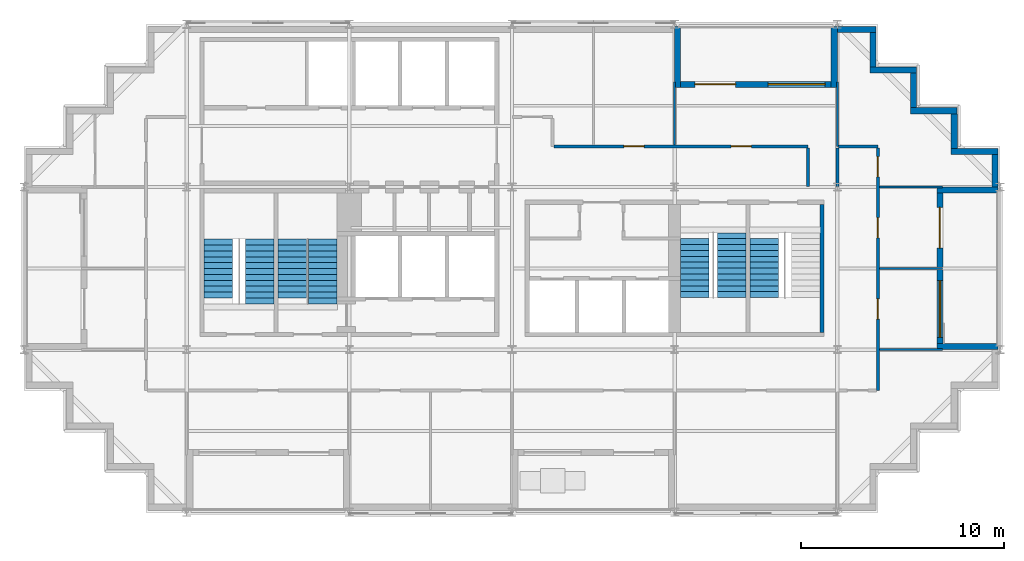
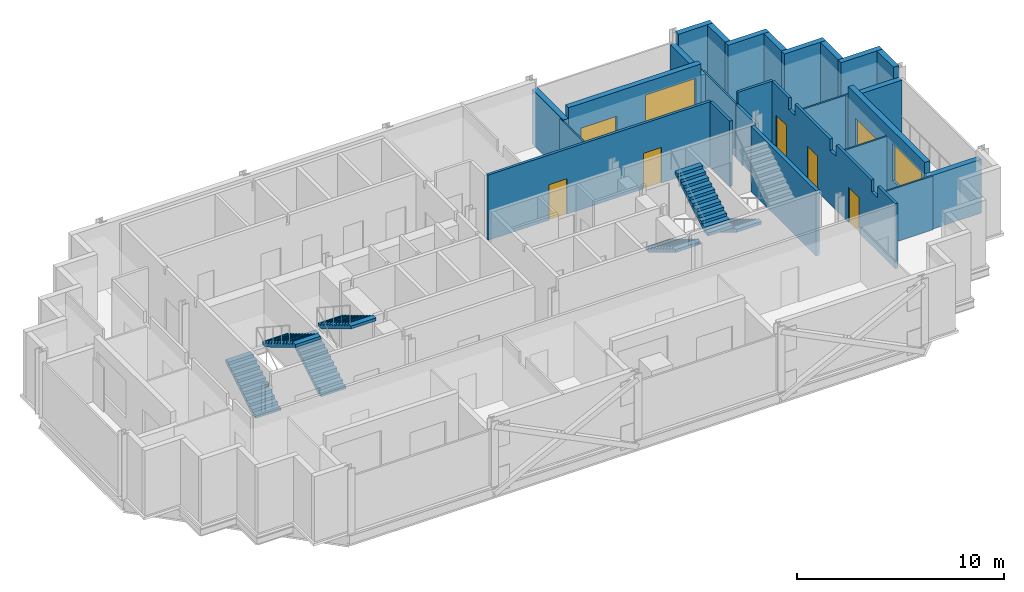
# One storey, part 7 of 10: 25 walls, 7 doors, 7 stair flights, 2 windows, 9 openings, 4 elements without a shape of their own.
"""IFC4 building model written with IfcOpenShell, lengths in metres."""

from ifc_helpers import new_model, si_unit, direction, frame, frame_2d, origin, place, context, subcontext, project, spatial, polyline, rectangle, outline, extrude, material, layer, layer_set, type_object, element, fill, aggregate, save


model = new_model("IFC4")

# Units and contexts
model_context = context("Model", 3, precision=1e-05, world=origin(), true_north=direction((0.0, 1.0)))
body_context = subcontext(model_context, "Body", "Model", "MODEL_VIEW")
ifc_project = project(units=[si_unit("LENGTHUNIT", "METRE"), si_unit("AREAUNIT", "SQUARE_METRE"), si_unit("VOLUMEUNIT", "CUBIC_METRE"), si_unit("PLANEANGLEUNIT", "RADIAN"), si_unit("MASSUNIT", "GRAM", prefix="KILO")], contexts=[model_context])

# Site, building, storey
site_placement = place(None, origin())
site = spatial("IfcSite", under=ifc_project, at=site_placement, CompositionType="ELEMENT")
building_placement = place(site_placement, origin())
building = spatial("IfcBuilding", under=site, at=building_placement, Name="Immortelle Media Tower", CompositionType="ELEMENT")
storey_placement = place(building_placement, frame((0.0, 0.0, 221.0)))
storey = spatial("IfcBuildingStorey", under=building, at=storey_placement, Name="L47", CompositionType="ELEMENT", Elevation=221.0)

# Wall, openings, doors
ifc_material_1 = material(Name="Fire-rated gypsum board", Category="gypsum")
ifc_layer_1 = layer(ifc_material_1, 0.012451171875)
ifc_material_2 = material(Name="Steel ASTM A653 SS Gr 50 stud frame with mineral wool", Category="steel")
ifc_layer_2 = layer(ifc_material_2, 0.125)
ifc_layer_3 = layer(ifc_material_1, 0.012451171875)
ifc_layer_set_1 = layer_set([ifc_layer_1, ifc_layer_2, ifc_layer_3], Name="Steel ASTM A653 SS Gr 50 stud frame with mineral wool")
wall_type_1 = type_object("IfcWallType", Name="Corridor wall 150", PredefinedType="PARTITIONING", material=ifc_layer_set_1)
wall_1_placement = place(storey_placement, frame((42.0, 6.0, 0.0), z_axis=(0.0, 0.0, 1.0), x_axis=(0.0, 1.0, 0.0)))
wall_1 = element("IfcWall", 1, at=wall_1_placement, inside=storey, type_object=wall_type_1, Name="Partition L47-009", PredefinedType="PARTITIONING", context=body_context, shape_type="SweptSolid", body=[
    extrude(outline(polyline([(0.0, 0.0), (11.925048828125, 0.0), (11.925048828125, 3.85009765625), (10.300048828125, 3.85009765625), (10.298095703125, 3.172119140625), (9.701904296875, 3.172119140625), (9.699951171875, 3.85009765625), (6.300048828125, 3.85009765625), (6.298095703125, 3.172119140625), (5.701904296875, 3.172119140625), (5.699951171875, 3.85009765625), (2.300048828125, 3.85009765625), (2.298095703125, 3.172119140625), (1.701904296875, 3.172119140625), (1.699951171875, 3.85009765625), (0.0, 3.85009765625), (0.0, 0.0)])), frame((0.0, 0.074951171875, 0.0), z_axis=(0.0, -1.0, 0.0), x_axis=(1.0, 0.0, 0.0)), (0.0, 0.0, 1.0), 0.14990234375),
])
opening_1_placement = place(wall_1_placement, frame((4.5, 0.0, 0.0), z_axis=(0.0, 0.0, 1.0), x_axis=(-1.0, 0.0, 0.0)))
opening_1 = element("IfcOpeningElement", 2, at=opening_1_placement, cuts=wall_1, Name="Opening O4-F010", PredefinedType="OPENING", context=body_context, shape_type="SweptSolid", body=[
    extrude(rectangle(XDim=1.0, YDim=2.10009765625, at=frame_2d((0.5, 1.050048828125))), frame((0.0, 0.0849609375, 0.0), z_axis=(0.0, -1.0, 0.0), x_axis=(1.0, 0.0, 0.0)), (0.0, 0.0, 1.0), 0.169921875),
])
opening_2_placement = place(wall_1_placement, frame((8.5, 0.0, 0.0), z_axis=(0.0, 0.0, 1.0), x_axis=(-1.0, 0.0, 0.0)))
opening_2 = element("IfcOpeningElement", 3, at=opening_2_placement, cuts=wall_1, Name="Opening O4-F011", PredefinedType="OPENING", context=body_context, shape_type="SweptSolid", body=[
    extrude(rectangle(XDim=1.0, YDim=2.10009765625, at=frame_2d((0.5, 1.050048828125))), frame((0.0, 0.0849609375, 0.0), z_axis=(0.0, -1.0, 0.0), x_axis=(1.0, 0.0, 0.0)), (0.0, 0.0, 1.0), 0.169921875),
])
opening_3_placement = place(wall_1_placement, frame((11.5, 0.0, 0.0), z_axis=(0.0, 0.0, 1.0), x_axis=(-1.0, 0.0, 0.0)))
opening_3 = element("IfcOpeningElement", 4, at=opening_3_placement, cuts=wall_1, Name="Opening O4-F014", PredefinedType="OPENING", context=body_context, shape_type="SweptSolid", body=[
    extrude(rectangle(XDim=1.0, YDim=2.10009765625, at=frame_2d((0.5, 1.050048828125))), frame((0.0, 0.0849609375, 0.0), z_axis=(0.0, -1.0, 0.0), x_axis=(1.0, 0.0, 0.0)), (0.0, 0.0, 1.0), 0.169921875),
])
ifc_material_3 = material(Name="Timber veneered door leaf, galvanised steel frame ASTM A653", Category="steel")
door_type_1 = type_object("IfcDoorType", Name="Room door 1000 x 2100", OperationType="NOTDEFINED", PredefinedType="DOOR", material=ifc_material_3)
door_1_placement = place(opening_1_placement, origin())
door_1 = element("IfcDoor", 5, at=door_1_placement, inside=storey, type_object=door_type_1, Name="Door O4-F010", OperationType="SINGLE_SWING_LEFT", OverallHeight=2.10009765625, OverallWidth=1.0, PredefinedType="DOOR", context=body_context, shape_type="SweptSolid", body=[
    extrude(rectangle(XDim=1.0, YDim=2.10009765625, at=frame_2d((0.5, 1.050048828125))), frame((0.0, 0.02490234375, 0.0), z_axis=(0.0, -1.0, 0.0), x_axis=(1.0, 0.0, 0.0)), (0.0, 0.0, 1.0), 0.050048828125),
])
fill(opening_1, door_1)
door_2_placement = place(opening_2_placement, origin())
door_2 = element("IfcDoor", 6, at=door_2_placement, inside=storey, type_object=door_type_1, Name="Door O4-F011", OperationType="SINGLE_SWING_LEFT", OverallHeight=2.10009765625, OverallWidth=1.0, PredefinedType="DOOR", context=body_context, shape_type="SweptSolid", body=[
    extrude(rectangle(XDim=1.0, YDim=2.10009765625, at=frame_2d((0.5, 1.050048828125))), frame((0.0, 0.02490234375, 0.0), z_axis=(0.0, -1.0, 0.0), x_axis=(1.0, 0.0, 0.0)), (0.0, 0.0, 1.0), 0.050048828125),
])
fill(opening_2, door_2)
door_3_placement = place(opening_3_placement, origin())
door_3 = element("IfcDoor", 7, at=door_3_placement, inside=storey, type_object=door_type_1, Name="Door O4-F014", OperationType="SINGLE_SWING_RIGHT", OverallHeight=2.10009765625, OverallWidth=1.0, PredefinedType="DOOR", context=body_context, shape_type="SweptSolid", body=[
    extrude(rectangle(XDim=1.0, YDim=2.10009765625, at=frame_2d((0.5, 1.050048828125))), frame((0.0, 0.02490234375, 0.0), z_axis=(0.0, -1.0, 0.0), x_axis=(1.0, 0.0, 0.0)), (0.0, 0.0, 1.0), 0.050048828125),
])
fill(opening_3, door_3)

# Walls
wall_2_placement = place(storey_placement, frame((38.550048828125, 16.030029296875, 0.0), z_axis=(0.0, 0.0, 1.0), x_axis=(0.0, 1.0, 0.0)))
element("IfcWall", 8, at=wall_2_placement, inside=storey, type_object=wall_type_1, Name="Partition L47-018", PredefinedType="PARTITIONING", context=body_context, shape_type="SweptSolid", body=[
    extrude(rectangle(XDim=1.89501953125, YDim=0.14990234375, at=frame_2d((0.947509765625, 0.0))), origin(), (0.0, 0.0, 1.0), 3.85009765625),
])
wall_3_placement = place(storey_placement, frame((40.0, 16.030029296875, 0.0), z_axis=(0.0, 0.0, 1.0), x_axis=(0.0, 1.0, 0.0)))
element("IfcWall", 9, at=wall_3_placement, inside=storey, type_object=wall_type_1, Name="Partition L47-019", PredefinedType="PARTITIONING", context=body_context, shape_type="SweptSolid", body=[
    extrude(rectangle(XDim=1.89501953125, YDim=0.14990234375, at=frame_2d((0.947509765625, 0.0))), origin(), (0.0, 0.0, 1.0), 3.172119140625),
])

# Wall, openings, doors
wall_4_placement = place(storey_placement, frame((26.074951171875, 18.0, 0.0), z_axis=(0.0, 0.0, 1.0), x_axis=(1.0, 0.0, 0.0)))
wall_4 = element("IfcWall", 10, at=wall_4_placement, inside=storey, type_object=wall_type_1, Name="Partition L47-020", PredefinedType="PARTITIONING", context=body_context, shape_type="SweptSolid", body=[
    extrude(rectangle(XDim=12.47509765625, YDim=0.14990234375, at=frame_2d((6.237548828125, 0.0))), origin(), (0.0, 0.0, 1.0), 3.85009765625),
])
opening_4_placement = place(wall_4_placement, frame((8.699951171875, 0.0, 0.0)))
opening_4 = element("IfcOpeningElement", 11, at=opening_4_placement, cuts=wall_4, Name="Opening O4-F015", PredefinedType="OPENING", context=body_context, shape_type="SweptSolid", body=[
    extrude(rectangle(XDim=1.0, YDim=2.10009765625, at=frame_2d((0.5, 1.050048828125))), frame((0.0, 0.0849609375, 0.0), z_axis=(0.0, -1.0, 0.0), x_axis=(1.0, 0.0, 0.0)), (0.0, 0.0, 1.0), 0.169921875),
])
opening_5_placement = place(wall_4_placement, frame((3.425048828125, 0.0, 0.0)))
opening_5 = element("IfcOpeningElement", 12, at=opening_5_placement, cuts=wall_4, Name="Opening O4-F017", PredefinedType="OPENING", context=body_context, shape_type="SweptSolid", body=[
    extrude(rectangle(XDim=1.0, YDim=2.10009765625, at=frame_2d((0.5, 1.050048828125))), frame((0.0, 0.0849609375, 0.0), z_axis=(0.0, -1.0, 0.0), x_axis=(1.0, 0.0, 0.0)), (0.0, 0.0, 1.0), 0.169921875),
])
door_4_placement = place(opening_4_placement, origin())
door_4 = element("IfcDoor", 13, at=door_4_placement, inside=storey, type_object=door_type_1, Name="Door O4-F015", OperationType="SINGLE_SWING_LEFT", OverallHeight=2.10009765625, OverallWidth=1.0, PredefinedType="DOOR", context=body_context, shape_type="SweptSolid", body=[
    extrude(rectangle(XDim=1.0, YDim=2.10009765625, at=frame_2d((0.5, 1.050048828125))), frame((0.0, 0.02490234375, 0.0), z_axis=(0.0, -1.0, 0.0), x_axis=(1.0, 0.0, 0.0)), (0.0, 0.0, 1.0), 0.050048828125),
])
fill(opening_4, door_4)
door_5_placement = place(opening_5_placement, origin())
door_5 = element("IfcDoor", 14, at=door_5_placement, inside=storey, type_object=door_type_1, Name="Door O4-F017", OperationType="SINGLE_SWING_LEFT", OverallHeight=2.10009765625, OverallWidth=1.0, PredefinedType="DOOR", context=body_context, shape_type="SweptSolid", body=[
    extrude(rectangle(XDim=1.0, YDim=2.10009765625, at=frame_2d((0.5, 1.050048828125))), frame((0.0, 0.02490234375, 0.0), z_axis=(0.0, -1.0, 0.0), x_axis=(1.0, 0.0, 0.0)), (0.0, 0.0, 1.0), 0.050048828125),
])
fill(opening_5, door_5)

# Wall
wall_5_placement = place(storey_placement, frame((40.050048828125, 18.0, 0.0), z_axis=(0.0, 0.0, 1.0), x_axis=(1.0, 0.0, 0.0)))
element("IfcWall", 15, at=wall_5_placement, inside=storey, type_object=wall_type_1, Name="Partition L47-024", PredefinedType="PARTITIONING", context=body_context, shape_type="SweptSolid", body=[
    extrude(rectangle(XDim=1.949951171875, YDim=0.14990234375, at=frame_2d((0.97509765625, 0.0))), origin(), (0.0, 0.0, 1.0), 3.85009765625),
])

# Wall, openings, door, window
ifc_material_4 = material(Name="Pale aluminium cladding panel", Category="aluminium")
ifc_layer_4 = layer(ifc_material_4, 0.030029296875)
ifc_layer_5 = layer(ifc_material_2, 0.257568359375)
ifc_material_5 = material(Name="Moisture-resistant gypsum board", Category="gypsum")
ifc_layer_6 = layer(ifc_material_5, 0.012451171875)
ifc_layer_set_2 = layer_set([ifc_layer_4, ifc_layer_5, ifc_layer_6], Name="Steel ASTM A653 SS Gr 50 stud frame with mineral wool")
wall_type_2 = type_object("IfcWallType", Name="Facade wall 300", PredefinedType="SOLIDWALL", material=ifc_layer_set_2)
wall_6_placement = place(storey_placement, frame((45.050048828125, 8.300048828125, 0.0), z_axis=(0.0, 0.0, 1.0), x_axis=(0.0, 1.0, 0.0)))
wall_6 = element("IfcWall", 16, at=wall_6_placement, inside=storey, type_object=wall_type_2, Name="Loggia wall L47 E13", PredefinedType="SOLIDWALL", context=body_context, shape_type="SweptSolid", body=[
    extrude(rectangle(XDim=7.39990234375, YDim=0.300048828125, at=frame_2d((3.699951171875, 0.0))), origin(), (0.0, 0.0, 1.0), 3.85009765625),
])
opening_6_placement = place(wall_6_placement, frame((0.300048828125, 0.0, 0.89990234375)))
opening_6 = element("IfcOpeningElement", 17, at=opening_6_placement, cuts=wall_6, Name="Opening W1", PredefinedType="OPENING", context=body_context, shape_type="SweptSolid", body=[
    extrude(rectangle(XDim=2.800048828125, YDim=2.199951171875, at=frame_2d((1.39990234375, 1.10009765625))), frame((0.0, 0.159912109375, 0.0), z_axis=(0.0, -1.0, 0.0), x_axis=(1.0, 0.0, 0.0)), (0.0, 0.0, 1.0), 0.320068359375),
])
opening_7_placement = place(wall_6_placement, frame((4.699951171875, 0.0, 0.0)))
opening_7 = element("IfcOpeningElement", 18, at=opening_7_placement, cuts=wall_6, Name="Opening O4-E003", PredefinedType="OPENING", context=body_context, shape_type="SweptSolid", body=[
    extrude(rectangle(XDim=2.0, YDim=2.39990234375, at=frame_2d((1.0, 1.199951171875))), frame((0.0, 0.159912109375, 0.0), z_axis=(0.0, -1.0, 0.0), x_axis=(1.0, 0.0, 0.0)), (0.0, 0.0, 1.0), 0.320068359375),
])
ifc_material_6 = material(Name="Aluminium frame, glazed leaves", Category="aluminium")
door_type_2 = type_object("IfcDoorType", Name="Loggia door 2000 x 2400", OperationType="DOUBLE_DOOR_SINGLE_SWING", PredefinedType="DOOR", material=ifc_material_6)
door_6_placement = place(opening_7_placement, origin())
door_6 = element("IfcDoor", 19, at=door_6_placement, inside=storey, type_object=door_type_2, Name="Door O4-E003", OperationType="DOUBLE_DOOR_SINGLE_SWING", OverallHeight=2.39990234375, OverallWidth=2.0, PredefinedType="DOOR", context=body_context, shape_type="SweptSolid", body=[
    extrude(rectangle(XDim=2.0, YDim=2.39990234375, at=frame_2d((1.0, 1.199951171875))), frame((0.0, 0.02490234375, 0.0), z_axis=(0.0, -1.0, 0.0), x_axis=(1.0, 0.0, 0.0)), (0.0, 0.0, 1.0), 0.050048828125),
])
fill(opening_7, door_6)
ifc_material_7 = material(Name="Aluminium frame", Category="aluminium")
window_type = type_object("IfcWindowType", Name="Window 2800 x 2200", PartitioningType="SINGLE_PANEL", PredefinedType="WINDOW", material=ifc_material_7)
window_1_placement = place(opening_6_placement, origin())
window_1 = element("IfcWindow", 20, at=window_1_placement, inside=storey, type_object=window_type, Name="Window L47 L47-R13-B0", OverallHeight=2.199951171875, OverallWidth=2.800048828125, PartitioningType="SINGLE_PANEL", PredefinedType="WINDOW", context=body_context, shape_type="SweptSolid", body=[
    extrude(rectangle(XDim=2.800048828125, YDim=2.199951171875, at=frame_2d((1.39990234375, 1.10009765625))), frame((0.0, 0.030029296875, 0.0), z_axis=(0.0, -1.0, 0.0), x_axis=(1.0, 0.0, 0.0)), (0.0, 0.0, 1.0), 0.06005859375),
])
fill(opening_6, window_1)

# Walls
for number, where, z_axis, x_axis, name in (
    (21, (47.89990234375, 8.14990234375, 0.0), (0.0, 0.0, 1.0), (-1.0, 0.0, 0.0), "Loggia cheek wall L47 E"),
    (22, (47.89990234375, 15.85009765625, 0.0), (0.0, 0.0, 1.0), (-1.0, 0.0, 0.0), "Loggia cheek wall L47 E"),
):
    element("IfcWall", number, at=place(storey_placement, frame(where, z_axis=z_axis, x_axis=x_axis)), inside=storey, type_object=wall_type_2, Name=name, PredefinedType="SOLIDWALL", context=body_context, shape_type="SweptSolid", body=[
        extrude(rectangle(XDim=3.0, YDim=0.300048828125, at=frame_2d((1.5, 0.0))), origin(), (0.0, 0.0, 1.0), 3.1708984375),
    ])
wall_7_placement = place(storey_placement, frame((47.75, 16.0, 0.0), z_axis=(0.0, 0.0, 1.0), x_axis=(0.0, 1.0, 0.0)))
element("IfcWall", 23, at=wall_7_placement, inside=storey, type_object=wall_type_2, Name="Facade wall L47 E13", PredefinedType="SOLIDWALL", context=body_context, shape_type="SweptSolid", body=[
    extrude(rectangle(XDim=1.60009765625, YDim=0.300048828125, at=frame_2d((0.800048828125, 0.0))), origin(), (0.0, 0.0, 1.0), 3.85009765625),
])
wall_8_placement = place(storey_placement, frame((47.89990234375, 17.75, 0.0), z_axis=(0.0, 0.0, 1.0), x_axis=(-1.0, 0.0, 0.0)))
element("IfcWall", 24, at=wall_8_placement, inside=storey, type_object=wall_type_2, Name="Facade wall L47 N14", PredefinedType="SOLIDWALL", context=body_context, shape_type="SweptSolid", body=[
    extrude(rectangle(XDim=2.2998046875, YDim=0.300048828125, at=frame_2d((1.14990234375, 0.0))), origin(), (0.0, 0.0, 1.0), 3.85009765625),
])
wall_9_placement = place(storey_placement, frame((45.75, 17.89990234375, 0.0), z_axis=(0.0, 0.0, 1.0), x_axis=(0.0, 1.0, 0.0)))
element("IfcWall", 25, at=wall_9_placement, inside=storey, type_object=wall_type_2, Name="Facade wall L47 E15", PredefinedType="SOLIDWALL", context=body_context, shape_type="SweptSolid", body=[
    extrude(rectangle(XDim=1.7001953125, YDim=0.300048828125, at=frame_2d((0.85009765625, 0.0))), origin(), (0.0, 0.0, 1.0), 3.85009765625),
])
wall_10_placement = place(storey_placement, frame((45.89990234375, 19.75, 0.0), z_axis=(0.0, 0.0, 1.0), x_axis=(-1.0, 0.0, 0.0)))
element("IfcWall", 26, at=wall_10_placement, inside=storey, type_object=wall_type_2, Name="Facade wall L47 N16", PredefinedType="SOLIDWALL", context=body_context, shape_type="SweptSolid", body=[
    extrude(rectangle(XDim=2.2998046875, YDim=0.300048828125, at=frame_2d((1.14990234375, 0.0))), origin(), (0.0, 0.0, 1.0), 3.85009765625),
])
wall_11_placement = place(storey_placement, frame((43.75, 19.89990234375, 0.0), z_axis=(0.0, 0.0, 1.0), x_axis=(0.0, 1.0, 0.0)))
element("IfcWall", 27, at=wall_11_placement, inside=storey, type_object=wall_type_2, Name="Facade wall L47 E17", PredefinedType="SOLIDWALL", context=body_context, shape_type="SweptSolid", body=[
    extrude(rectangle(XDim=1.7001953125, YDim=0.300048828125, at=frame_2d((0.85009765625, 0.0))), origin(), (0.0, 0.0, 1.0), 3.85009765625),
])
wall_12_placement = place(storey_placement, frame((43.89990234375, 21.75, 0.0), z_axis=(0.0, 0.0, 1.0), x_axis=(-1.0, 0.0, 0.0)))
element("IfcWall", 28, at=wall_12_placement, inside=storey, type_object=wall_type_2, Name="Facade wall L47 N18", PredefinedType="SOLIDWALL", context=body_context, shape_type="SweptSolid", body=[
    extrude(rectangle(XDim=2.2998046875, YDim=0.300048828125, at=frame_2d((1.14990234375, 0.0))), origin(), (0.0, 0.0, 1.0), 3.85009765625),
])
wall_13_placement = place(storey_placement, frame((41.75, 21.89990234375, 0.0), z_axis=(0.0, 0.0, 1.0), x_axis=(0.0, 1.0, 0.0)))
element("IfcWall", 29, at=wall_13_placement, inside=storey, type_object=wall_type_2, Name="Facade wall L47 E19", PredefinedType="SOLIDWALL", context=body_context, shape_type="SweptSolid", body=[
    extrude(rectangle(XDim=1.7001953125, YDim=0.300048828125, at=frame_2d((0.85009765625, 0.0))), origin(), (0.0, 0.0, 1.0), 3.85009765625),
])
wall_14_placement = place(storey_placement, frame((41.89990234375, 23.75, 0.0), z_axis=(0.0, 0.0, 1.0), x_axis=(-1.0, 0.0, 0.0)))
element("IfcWall", 30, at=wall_14_placement, inside=storey, type_object=wall_type_2, Name="Facade wall L47 N20", PredefinedType="SOLIDWALL", context=body_context, shape_type="SweptSolid", body=[
    extrude(rectangle(XDim=1.89990234375, YDim=0.300048828125, at=frame_2d((0.949951171875, 0.0))), origin(), (0.0, 0.0, 1.0), 3.85009765625),
])

# Wall, openings, door, window
wall_15_placement = place(storey_placement, frame((39.699951171875, 21.050048828125, 0.0), z_axis=(0.0, 0.0, 1.0), x_axis=(-1.0, 0.0, 0.0)))
wall_15 = element("IfcWall", 31, at=wall_15_placement, inside=storey, type_object=wall_type_2, Name="Loggia wall L47 N20", PredefinedType="SOLIDWALL", context=body_context, shape_type="SweptSolid", body=[
    extrude(rectangle(XDim=7.39990234375, YDim=0.300048828125, at=frame_2d((3.699951171875, 0.0))), origin(), (0.0, 0.0, 1.0), 3.85009765625),
])
opening_8_placement = place(wall_15_placement, frame((0.300048828125, 0.0, 0.89990234375)))
opening_8 = element("IfcOpeningElement", 32, at=opening_8_placement, cuts=wall_15, Name="Opening W1", PredefinedType="OPENING", context=body_context, shape_type="SweptSolid", body=[
    extrude(rectangle(XDim=2.800048828125, YDim=2.199951171875, at=frame_2d((1.39990234375, 1.10009765625))), frame((0.0, 0.159912109375, 0.0), z_axis=(0.0, -1.0, 0.0), x_axis=(1.0, 0.0, 0.0)), (0.0, 0.0, 1.0), 0.320068359375),
])
opening_9_placement = place(wall_15_placement, frame((4.699951171875, 0.0, 0.0)))
opening_9 = element("IfcOpeningElement", 33, at=opening_9_placement, cuts=wall_15, Name="Opening O4-E004", PredefinedType="OPENING", context=body_context, shape_type="SweptSolid", body=[
    extrude(rectangle(XDim=2.0, YDim=2.39990234375, at=frame_2d((1.0, 1.199951171875))), frame((0.0, 0.159912109375, 0.0), z_axis=(0.0, -1.0, 0.0), x_axis=(1.0, 0.0, 0.0)), (0.0, 0.0, 1.0), 0.320068359375),
])
door_7_placement = place(opening_9_placement, origin())
door_7 = element("IfcDoor", 34, at=door_7_placement, inside=storey, type_object=door_type_2, Name="Door O4-E004", OperationType="DOUBLE_DOOR_SINGLE_SWING", OverallHeight=2.39990234375, OverallWidth=2.0, PredefinedType="DOOR", context=body_context, shape_type="SweptSolid", body=[
    extrude(rectangle(XDim=2.0, YDim=2.39990234375, at=frame_2d((1.0, 1.199951171875))), frame((0.0, 0.02490234375, 0.0), z_axis=(0.0, -1.0, 0.0), x_axis=(1.0, 0.0, 0.0)), (0.0, 0.0, 1.0), 0.050048828125),
])
fill(opening_9, door_7)
window_2_placement = place(opening_8_placement, origin())
window_2 = element("IfcWindow", 35, at=window_2_placement, inside=storey, type_object=window_type, Name="Window L47 L47-R20-B0", OverallHeight=2.199951171875, OverallWidth=2.800048828125, PartitioningType="SINGLE_PANEL", PredefinedType="WINDOW", context=body_context, shape_type="SweptSolid", body=[
    extrude(rectangle(XDim=2.800048828125, YDim=2.199951171875, at=frame_2d((1.39990234375, 1.10009765625))), frame((0.0, 0.030029296875, 0.0), z_axis=(0.0, -1.0, 0.0), x_axis=(1.0, 0.0, 0.0)), (0.0, 0.0, 1.0), 0.06005859375),
])
fill(opening_8, window_2)

# Walls
wall_16_placement = place(storey_placement, frame((39.85009765625, 23.89990234375, 0.0), z_axis=(0.0, 0.0, 1.0), x_axis=(0.0, -1.0, 0.0)))
element("IfcWall", 36, at=wall_16_placement, inside=storey, type_object=wall_type_2, Name="Loggia cheek wall L47 N", PredefinedType="SOLIDWALL", context=body_context, shape_type="SweptSolid", body=[
    extrude(rectangle(XDim=3.0, YDim=0.300048828125, at=frame_2d((1.5, 0.0))), origin(), (0.0, 0.0, 1.0), 3.1708984375),
])
wall_17_placement = place(storey_placement, frame((32.14990234375, 23.89990234375, 0.0), z_axis=(0.0, 0.0, 1.0), x_axis=(0.0, -1.0, 0.0)))
element("IfcWall", 37, at=wall_17_placement, inside=storey, type_object=wall_type_2, Name="Loggia cheek wall L47 N", PredefinedType="SOLIDWALL", context=body_context, shape_type="SweptSolid", body=[
    extrude(rectangle(XDim=3.0, YDim=0.300048828125, at=frame_2d((1.5, 0.0))), origin(), (0.0, 0.0, 1.0), 3.237060546875),
])
ifc_material_8 = material(Name="Gypsum board", Category="gypsum")
ifc_layer_7 = layer(ifc_material_8, 0.012451171875)
ifc_layer_8 = layer(ifc_material_2, 0.074951171875)
ifc_layer_9 = layer(ifc_material_8, 0.012451171875)
ifc_layer_set_3 = layer_set([ifc_layer_7, ifc_layer_8, ifc_layer_9], Name="Steel ASTM A653 SS Gr 50 stud frame with mineral wool")
wall_type_3 = type_object("IfcWallType", Name="Partition 100", PredefinedType="PARTITIONING", material=ifc_layer_set_3)
for number, where, z_axis, x_axis, name in (
    (38, (42.074951171875, 8.0, 0.0), (0.0, 0.0, 1.0), (1.0, 0.0, 0.0), "Partition L47-011"),
    (39, (42.074951171875, 12.0, 0.0), (0.0, 0.0, 1.0), (1.0, 0.0, 0.0), "Partition L47-013"),
    (40, (42.074951171875, 16.0, 0.0), (0.0, 0.0, 1.0), (1.0, 0.0, 0.0), "Partition L47-017"),
    (41, (32.0, 18.074951171875, 0.0), (0.0, 0.0, 1.0), (0.0, 1.0, 0.0), "Partition L47-023"),
):
    element("IfcWall", number, at=place(storey_placement, frame(where, z_axis=z_axis, x_axis=x_axis)), inside=storey, type_object=wall_type_3, Name=name, PredefinedType="PARTITIONING", context=body_context, shape_type="SweptSolid", body=[
        extrude(rectangle(XDim=3.094970703125, YDim=0.10009765625, at=frame_2d((1.54736328125, 0.0))), origin(), (0.0, 0.0, 1.0), 3.172119140625),
    ])
wall_18_placement = place(storey_placement, frame((40.0, 18.0, 0.0), z_axis=(0.0, 0.0, 1.0), x_axis=(0.0, 1.0, 0.0)))
element("IfcWall", 42, at=wall_18_placement, inside=storey, type_object=wall_type_3, Name="Partition L47-025", PredefinedType="PARTITIONING", context=body_context, shape_type="SweptSolid", body=[
    extrude(rectangle(XDim=3.169921875, YDim=0.10009765625, at=frame_2d((1.5849609375, 0.0))), origin(), (0.0, 0.0, 1.0), 3.172119140625),
])
ifc_material_9 = material(Name="Concrete C60", Category="concrete")
ifc_layer_10 = layer(ifc_material_9, 0.199951171875)
ifc_layer_set_4 = layer_set([ifc_layer_10], Name="Concrete C60")
wall_type_4 = type_object("IfcWallType", Name="Stair shaft wall 200", PredefinedType="PARTITIONING", material=ifc_layer_set_4)
wall_19_placement = place(storey_placement, frame((39.25, 8.85009765625, 0.0), z_axis=(0.0, 0.0, 1.0), x_axis=(0.0, 1.0, 0.0)))
element("IfcWall", 43, at=wall_19_placement, inside=storey, type_object=wall_type_4, Name="Stair shaft wall SE", PredefinedType="PARTITIONING", context=body_context, shape_type="SweptSolid", body=[
    extrude(rectangle(XDim=6.2998046875, YDim=0.199951171875, at=frame_2d((3.14990234375, 0.0))), origin(), (0.0, 0.0, 1.0), 3.85009765625),
])

# Stair, stair flights
ifc_material_10 = material(Name="Steel ASTM A992 Gr 50", Category="steel")
stair_type = type_object("IfcStairType", Name="Stair with flights", PredefinedType="DOUBLE_RETURN_STAIR", material=ifc_material_10)
stair_1_placement = place(storey_placement, origin())
stair_1 = element("IfcStair", 44, at=stair_1_placement, inside=storey, type_object=stair_type, Name="Exit stair SW1", PredefinedType="DOUBLE_RETURN_STAIR")
stair_flight_type = type_object("IfcStairFlightType", Name="Stair flight 1400", PredefinedType="STRAIGHT", material=ifc_material_10)
stair_flight_1_placement = place(storey_placement, frame((9.550048828125, 10.5400390625, 0.0), z_axis=(0.0, 0.0, 1.0), x_axis=(0.0, 1.0, 0.0)))
stair_flight_1 = element("IfcStairFlight", 45, at=stair_flight_1_placement, type_object=stair_flight_type, Name="ST SW1 flight 1", NumberOfRisers=11, NumberOfTreads=10, PredefinedType="STRAIGHT", RiserHeight=0.173913043, TreadLength=0.29, context=body_context, shape_type="SweptSolid", body=[
    extrude(outline(polyline([(0.0, 0.0), (0.0, 0.173828125), (0.2900390625, 0.173828125), (0.2900390625, 0.347900390625), (0.580078125, 0.347900390625), (0.580078125, 0.521728515625), (0.8701171875, 0.521728515625), (0.8701171875, 0.695556640625), (1.159912109375, 0.695556640625), (1.159912109375, 0.86962890625), (1.449951171875, 0.86962890625), (1.449951171875, 1.04345703125), (1.739990234375, 1.04345703125), (1.739990234375, 1.21728515625), (2.030029296875, 1.21728515625), (2.030029296875, 1.391357421875), (2.320068359375, 1.391357421875), (2.320068359375, 1.565185546875), (2.610107421875, 1.565185546875), (2.610107421875, 1.739013671875), (2.89990234375, 1.739013671875), (2.89990234375, 1.9130859375), (2.89990234375, 1.564453125), (0.29150390625, 0.0), (0.0, 0.0)])), frame((0.0, 0.699951171875, 0.0), z_axis=(0.0, -1.0, 0.0), x_axis=(1.0, 0.0, 0.0)), (0.0, 0.0, 1.0), 1.39990234375),
])
stair_flight_2_placement = place(storey_placement, frame((11.60009765625, 13.43994140625, 1.9130859375), z_axis=(0.0, 0.0, 1.0), x_axis=(0.0, -1.0, 0.0)))
stair_flight_2 = element("IfcStairFlight", 46, at=stair_flight_2_placement, type_object=stair_flight_type, Name="ST SW1 flight 2", NumberOfRisers=12, NumberOfTreads=11, PredefinedType="STRAIGHT", RiserHeight=0.173913043, TreadLength=0.29, context=body_context, shape_type="SweptSolid", body=[
    extrude(outline(polyline([(0.0, 0.0), (0.0, 0.173828125), (0.2900390625, 0.173828125), (0.2900390625, 0.347900390625), (0.580078125, 0.347900390625), (0.580078125, 0.521728515625), (0.8701171875, 0.521728515625), (0.8701171875, 0.695556640625), (1.159912109375, 0.695556640625), (1.159912109375, 0.86962890625), (1.449951171875, 0.86962890625), (1.449951171875, 1.04345703125), (1.739990234375, 1.04345703125), (1.739990234375, 1.21728515625), (2.030029296875, 1.21728515625), (2.030029296875, 1.391357421875), (2.320068359375, 1.391357421875), (2.320068359375, 1.565185546875), (2.610107421875, 1.565185546875), (2.610107421875, 1.739013671875), (2.89990234375, 1.739013671875), (2.89990234375, 1.9130859375), (3.18994140625, 1.9130859375), (3.18994140625, 2.0869140625), (3.18994140625, 1.73828125), (0.29150390625, 0.0), (0.0, 0.0)])), frame((0.0, 0.699951171875, 0.0), z_axis=(0.0, -1.0, 0.0), x_axis=(1.0, 0.0, 0.0)), (0.0, 0.0, 1.0), 1.39990234375),
])
aggregate(stair_1, [stair_flight_1, stair_flight_2])

stair_2_placement = place(storey_placement, origin())
stair_2 = element("IfcStair", 47, at=stair_2_placement, inside=storey, type_object=stair_type, Name="Exit stair SW2", PredefinedType="DOUBLE_RETURN_STAIR")
stair_flight_3_placement = place(storey_placement, frame((13.199951171875, 10.5400390625, 0.0), z_axis=(0.0, 0.0, 1.0), x_axis=(0.0, 1.0, 0.0)))
stair_flight_3 = element("IfcStairFlight", 48, at=stair_flight_3_placement, type_object=stair_flight_type, Name="ST SW2 flight 1", NumberOfRisers=11, NumberOfTreads=10, PredefinedType="STRAIGHT", RiserHeight=0.173913043, TreadLength=0.29, context=body_context, shape_type="SweptSolid", body=[
    extrude(outline(polyline([(0.0, 0.0), (0.0, 0.173828125), (0.2900390625, 0.173828125), (0.2900390625, 0.347900390625), (0.580078125, 0.347900390625), (0.580078125, 0.521728515625), (0.8701171875, 0.521728515625), (0.8701171875, 0.695556640625), (1.159912109375, 0.695556640625), (1.159912109375, 0.86962890625), (1.449951171875, 0.86962890625), (1.449951171875, 1.04345703125), (1.739990234375, 1.04345703125), (1.739990234375, 1.21728515625), (2.030029296875, 1.21728515625), (2.030029296875, 1.391357421875), (2.320068359375, 1.391357421875), (2.320068359375, 1.565185546875), (2.610107421875, 1.565185546875), (2.610107421875, 1.739013671875), (2.89990234375, 1.739013671875), (2.89990234375, 1.9130859375), (2.89990234375, 1.564453125), (0.29150390625, 0.0), (0.0, 0.0)])), frame((0.0, 0.699951171875, 0.0), z_axis=(0.0, -1.0, 0.0), x_axis=(1.0, 0.0, 0.0)), (0.0, 0.0, 1.0), 1.39990234375),
])
stair_flight_4_placement = place(storey_placement, frame((14.699951171875, 13.43994140625, 1.9130859375), z_axis=(0.0, 0.0, 1.0), x_axis=(0.0, -1.0, 0.0)))
stair_flight_4 = element("IfcStairFlight", 49, at=stair_flight_4_placement, type_object=stair_flight_type, Name="ST SW2 flight 2", NumberOfRisers=12, NumberOfTreads=11, PredefinedType="STRAIGHT", RiserHeight=0.173913043, TreadLength=0.29, context=body_context, shape_type="SweptSolid", body=[
    extrude(outline(polyline([(0.0, 0.0), (0.0, 0.173828125), (0.2900390625, 0.173828125), (0.2900390625, 0.347900390625), (0.580078125, 0.347900390625), (0.580078125, 0.521728515625), (0.8701171875, 0.521728515625), (0.8701171875, 0.695556640625), (1.159912109375, 0.695556640625), (1.159912109375, 0.86962890625), (1.449951171875, 0.86962890625), (1.449951171875, 1.04345703125), (1.739990234375, 1.04345703125), (1.739990234375, 1.21728515625), (2.030029296875, 1.21728515625), (2.030029296875, 1.391357421875), (2.320068359375, 1.391357421875), (2.320068359375, 1.565185546875), (2.610107421875, 1.565185546875), (2.610107421875, 1.739013671875), (2.89990234375, 1.739013671875), (2.89990234375, 1.9130859375), (3.18994140625, 1.9130859375), (3.18994140625, 2.0869140625), (3.18994140625, 1.73828125), (0.29150390625, 0.0), (0.0, 0.0)])), frame((0.0, 0.699951171875, 0.0), z_axis=(0.0, -1.0, 0.0), x_axis=(1.0, 0.0, 0.0)), (0.0, 0.0, 1.0), 1.39990234375),
])
aggregate(stair_2, [stair_flight_3, stair_flight_4])

stair_3_placement = place(storey_placement, origin())
stair_3 = element("IfcStair", 50, at=stair_3_placement, inside=storey, type_object=stair_type, Name="Exit stair SE1", PredefinedType="DOUBLE_RETURN_STAIR")
stair_flight_5_placement = place(storey_placement, frame((33.0, 13.4599609375, 0.0), z_axis=(0.0, 0.0, 1.0), x_axis=(0.0, -1.0, 0.0)))
stair_flight_5 = element("IfcStairFlight", 51, at=stair_flight_5_placement, type_object=stair_flight_type, Name="ST SE1 flight 1", NumberOfRisers=11, NumberOfTreads=10, PredefinedType="STRAIGHT", RiserHeight=0.173913043, TreadLength=0.29, context=body_context, shape_type="SweptSolid", body=[
    extrude(outline(polyline([(0.0, 0.0), (0.0, 0.173828125), (0.2900390625, 0.173828125), (0.2900390625, 0.347900390625), (0.580078125, 0.347900390625), (0.580078125, 0.521728515625), (0.8701171875, 0.521728515625), (0.8701171875, 0.695556640625), (1.159912109375, 0.695556640625), (1.159912109375, 0.86962890625), (1.449951171875, 0.86962890625), (1.449951171875, 1.04345703125), (1.739990234375, 1.04345703125), (1.739990234375, 1.21728515625), (2.030029296875, 1.21728515625), (2.030029296875, 1.391357421875), (2.320068359375, 1.391357421875), (2.320068359375, 1.565185546875), (2.610107421875, 1.565185546875), (2.610107421875, 1.739013671875), (2.89990234375, 1.739013671875), (2.89990234375, 1.9130859375), (2.89990234375, 1.564453125), (0.29150390625, 0.0), (0.0, 0.0)])), frame((0.0, 0.699951171875, 0.0), z_axis=(0.0, -1.0, 0.0), x_axis=(1.0, 0.0, 0.0)), (0.0, 0.0, 1.0), 1.39990234375),
])
stair_flight_6_placement = place(storey_placement, frame((34.800048828125, 10.56005859375, 1.9130859375), z_axis=(0.0, 0.0, 1.0), x_axis=(0.0, 1.0, 0.0)))
stair_flight_6 = element("IfcStairFlight", 52, at=stair_flight_6_placement, type_object=stair_flight_type, Name="ST SE1 flight 2", NumberOfRisers=12, NumberOfTreads=11, PredefinedType="STRAIGHT", RiserHeight=0.173913043, TreadLength=0.29, context=body_context, shape_type="SweptSolid", body=[
    extrude(outline(polyline([(0.0, 0.0), (0.0, 0.173828125), (0.2900390625, 0.173828125), (0.2900390625, 0.347900390625), (0.580078125, 0.347900390625), (0.580078125, 0.521728515625), (0.8701171875, 0.521728515625), (0.8701171875, 0.695556640625), (1.159912109375, 0.695556640625), (1.159912109375, 0.86962890625), (1.449951171875, 0.86962890625), (1.449951171875, 1.04345703125), (1.739990234375, 1.04345703125), (1.739990234375, 1.21728515625), (2.030029296875, 1.21728515625), (2.030029296875, 1.391357421875), (2.320068359375, 1.391357421875), (2.320068359375, 1.565185546875), (2.610107421875, 1.565185546875), (2.610107421875, 1.739013671875), (2.89990234375, 1.739013671875), (2.89990234375, 1.9130859375), (3.18994140625, 1.9130859375), (3.18994140625, 2.0869140625), (3.18994140625, 1.73828125), (0.29150390625, 0.0), (0.0, 0.0)])), frame((0.0, 0.699951171875, 0.0), z_axis=(0.0, -1.0, 0.0), x_axis=(1.0, 0.0, 0.0)), (0.0, 0.0, 1.0), 1.39990234375),
])
aggregate(stair_3, [stair_flight_5, stair_flight_6])

# Stair, stair flight
stair_4_placement = place(storey_placement, origin())
stair_4 = element("IfcStair", 53, at=stair_4_placement, inside=storey, type_object=stair_type, Name="Exit stair SE2", PredefinedType="DOUBLE_RETURN_STAIR")
stair_flight_7_placement = place(storey_placement, frame((36.39990234375, 13.4599609375, 0.0), z_axis=(0.0, 0.0, 1.0), x_axis=(0.0, -1.0, 0.0)))
stair_flight_7 = element("IfcStairFlight", 54, at=stair_flight_7_placement, type_object=stair_flight_type, Name="ST SE2 flight 1", NumberOfRisers=11, NumberOfTreads=10, PredefinedType="STRAIGHT", RiserHeight=0.173913043, TreadLength=0.29, context=body_context, shape_type="SweptSolid", body=[
    extrude(outline(polyline([(0.0, 0.0), (0.0, 0.173828125), (0.2900390625, 0.173828125), (0.2900390625, 0.347900390625), (0.580078125, 0.347900390625), (0.580078125, 0.521728515625), (0.8701171875, 0.521728515625), (0.8701171875, 0.695556640625), (1.159912109375, 0.695556640625), (1.159912109375, 0.86962890625), (1.449951171875, 0.86962890625), (1.449951171875, 1.04345703125), (1.739990234375, 1.04345703125), (1.739990234375, 1.21728515625), (2.030029296875, 1.21728515625), (2.030029296875, 1.391357421875), (2.320068359375, 1.391357421875), (2.320068359375, 1.565185546875), (2.610107421875, 1.565185546875), (2.610107421875, 1.739013671875), (2.89990234375, 1.739013671875), (2.89990234375, 1.9130859375), (2.89990234375, 1.564453125), (0.29150390625, 0.0), (0.0, 0.0)])), frame((0.0, 0.699951171875, 0.0), z_axis=(0.0, -1.0, 0.0), x_axis=(1.0, 0.0, 0.0)), (0.0, 0.0, 1.0), 1.39990234375),
])
aggregate(stair_4, [stair_flight_7])

save(model, "model.ifc")
